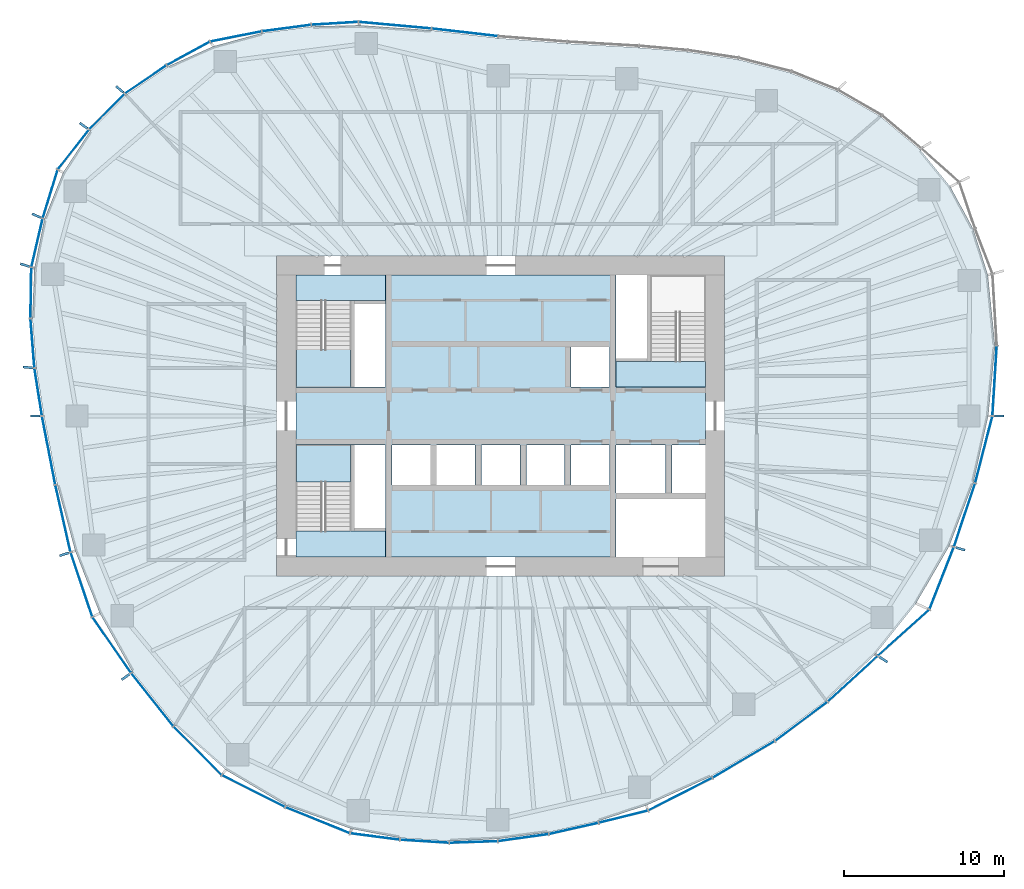
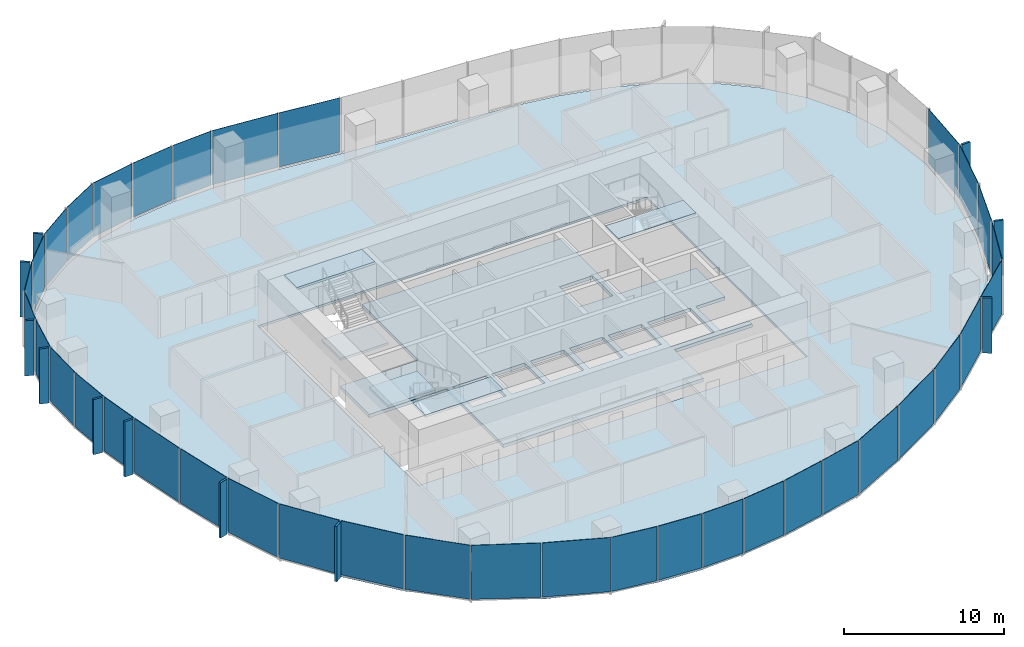
# One storey, part 7 of 18: 48 plates, 7 slabs, 19 elements without a shape of their own.
"""IFC4 building model written with IfcOpenShell, lengths in metres."""

from ifc_helpers import new_model, si_unit, direction, frame, origin, origin_2d, place, context, subcontext, project, spatial, polyline, rectangle, outline, extrude, material, layer, layer_set, type_object, element, aggregate, save


model = new_model("IFC4")

# Units and contexts
model_context = context("Model", 3, precision=1e-05, world=origin(), true_north=direction((0.0, 1.0)))
body_context = subcontext(model_context, "Body", "Model", "MODEL_VIEW")
ifc_project = project(units=[si_unit("LENGTHUNIT", "METRE"), si_unit("AREAUNIT", "SQUARE_METRE"), si_unit("VOLUMEUNIT", "CUBIC_METRE"), si_unit("PLANEANGLEUNIT", "RADIAN"), si_unit("MASSUNIT", "GRAM", prefix="KILO")], contexts=[model_context])

# Site, building, storey
site_placement = place(None, origin())
site = spatial("IfcSite", under=ifc_project, at=site_placement, CompositionType="ELEMENT")
building_placement = place(site_placement, origin())
building = spatial("IfcBuilding", under=site, at=building_placement, Name="Ghaith Harvest Tower", CompositionType="ELEMENT")
storey_placement = place(building_placement, frame((0.0, 0.0, 180.60009765625)))
storey = spatial("IfcBuildingStorey", under=building, at=storey_placement, Name="L39", CompositionType="ELEMENT", Elevation=180.60009765625)

# Curtain wall, plate
ifc_material_1 = material(Name="Black anodised aluminium and fritted glass", Category="aluminium")
curtain_wall_type = type_object("IfcCurtainWallType", Name="CW-L CURTAIN WALL", PredefinedType="NOTDEFINED", material=ifc_material_1)
curtain_wall_1_placement = place(storey_placement, origin())
curtain_wall_1 = element("IfcCurtainWall", 1, at=curtain_wall_1_placement, inside=storey, type_object=curtain_wall_type, Name="Curtain wall CW-L bay 01 L39", PredefinedType="NOTDEFINED")
ifc_material_2 = material(Name="Glass, dark solar-control fritted double glazed unit", Category="glass")
ifc_layer_1 = layer(ifc_material_2, 0.031982421875)
ifc_layer_set_1 = layer_set([ifc_layer_1], Name="CW-L VISION PANEL")
plate_type_1 = type_object("IfcPlateType", Name="CW-L VISION PANEL", PredefinedType="CURTAIN_PANEL", material=ifc_layer_set_1)
plate_1_placement = place(storey_placement, frame((30.86376953125, 2.19482421875, 0.079833984375), z_axis=(0.0, 0.0, 1.0), x_axis=(0.061379619468, 0.99811449359, 0.0)))
plate_1 = element("IfcPlate", 2, at=plate_1_placement, type_object=plate_type_1, Name="CW-L glass unit 1 bay 01 L39", PredefinedType="CURTAIN_PANEL", context=body_context, shape_type="SweptSolid", body=[
    extrude(rectangle(XDim=4.318115234375, YDim=0.031982421875, at=origin_2d()), origin(), (0.0, 0.0, 1.0), 4.1201171875),
])
aggregate(curtain_wall_1, [plate_1])

# Curtain wall, plates
curtain_wall_2_placement = place(storey_placement, origin())
curtain_wall_2 = element("IfcCurtainWall", 3, at=curtain_wall_2_placement, inside=storey, type_object=curtain_wall_type, Name="Curtain wall CW-L bay 06 L39", PredefinedType="NOTDEFINED")
plate_2_placement = place(storey_placement, frame((-2.24267578125, 23.968505859375, 0.079833984375), z_axis=(0.0, 0.0, 1.0), x_axis=(-0.993477024646, 0.114032458099, 0.0)))
plate_2 = element("IfcPlate", 4, at=plate_2_placement, type_object=plate_type_1, Name="CW-L glass unit 1 bay 06 L39", PredefinedType="CURTAIN_PANEL", context=body_context, shape_type="SweptSolid", body=[
    extrude(rectangle(XDim=4.10791015625, YDim=0.031982421875, at=origin_2d()), origin(), (0.0, 0.0, 1.0), 4.1201171875),
])
plate_3_placement = place(storey_placement, frame((-6.607666015625, 24.4140625, 0.079833984375), z_axis=(0.0, 0.0, 1.0), x_axis=(-0.995928776302, 0.090143621701, 0.0)))
plate_3 = element("IfcPlate", 5, at=plate_3_placement, type_object=plate_type_1, Name="CW-L glass unit 2 bay 06 L39", PredefinedType="CURTAIN_PANEL", context=body_context, shape_type="SweptSolid", body=[
    extrude(rectangle(XDim=4.508056640625, YDim=0.031982421875, at=origin_2d()), origin(), (0.0, 0.0, 1.0), 4.1201171875),
])
aggregate(curtain_wall_2, [plate_2, plate_3])

curtain_wall_3_placement = place(storey_placement, origin())
curtain_wall_3 = element("IfcCurtainWall", 6, at=curtain_wall_3_placement, inside=storey, type_object=curtain_wall_type, Name="Curtain wall CW-L bay 07 L39", PredefinedType="NOTDEFINED")
plate_4_placement = place(storey_placement, frame((-10.36669921875, 24.5302734375, 0.079833984375), z_axis=(0.0, 0.0, 1.0), x_axis=(-0.998119199641, -0.061303044853, 0.0)))
plate_4 = element("IfcPlate", 7, at=plate_4_placement, type_object=plate_type_1, Name="CW-L glass unit 1 bay 07 L39", PredefinedType="CURTAIN_PANEL", context=body_context, shape_type="SweptSolid", body=[
    extrude(rectangle(XDim=2.874267578125, YDim=0.031982421875, at=origin_2d()), origin(), (0.0, 0.0, 1.0), 4.1201171875),
])
plate_5_placement = place(storey_placement, frame((-13.382568359375, 24.23486328125, 0.079833984375), z_axis=(0.0, 0.0, 1.0), x_axis=(-0.991285895369, -0.131728029071, 0.0)))
plate_5 = element("IfcPlate", 8, at=plate_5_placement, type_object=plate_type_1, Name="CW-L glass unit 2 bay 07 L39", PredefinedType="CURTAIN_PANEL", context=body_context, shape_type="SweptSolid", body=[
    extrude(rectangle(XDim=3.02978515625, YDim=0.031982421875, at=origin_2d()), origin(), (0.0, 0.0, 1.0), 4.1201171875),
])
plate_6_placement = place(storey_placement, frame((-16.54443359375, 23.7099609375, 0.079833984375), z_axis=(0.0, 0.0, 1.0), x_axis=(-0.981037550101, -0.193817763096, 0.0)))
plate_6 = element("IfcPlate", 9, at=plate_6_placement, type_object=plate_type_1, Name="CW-L glass unit 3 bay 07 L39", PredefinedType="CURTAIN_PANEL", context=body_context, shape_type="SweptSolid", body=[
    extrude(rectangle(XDim=3.22412109375, YDim=0.031982421875, at=origin_2d()), origin(), (0.0, 0.0, 1.0), 4.1201171875),
])
aggregate(curtain_wall_3, [plate_4, plate_5, plate_6])

curtain_wall_4_placement = place(storey_placement, origin())
curtain_wall_4 = element("IfcCurtainWall", 10, at=curtain_wall_4_placement, inside=storey, type_object=curtain_wall_type, Name="Curtain wall CW-L bay 08 L39", PredefinedType="NOTDEFINED")
plate_7_placement = place(storey_placement, frame((-19.520263671875, 22.650634765625, 0.079833984375), z_axis=(0.0, 0.0, 1.0), x_axis=(-0.877940384665, -0.478769966659, 0.0)))
plate_7 = element("IfcPlate", 11, at=plate_7_placement, type_object=plate_type_1, Name="CW-L glass unit 1 bay 08 L39", PredefinedType="CURTAIN_PANEL", context=body_context, shape_type="SweptSolid", body=[
    extrude(rectangle(XDim=3.007080078125, YDim=0.031982421875, at=origin_2d()), origin(), (0.0, 0.0, 1.0), 4.1201171875),
])
plate_8_placement = place(storey_placement, frame((-22.182373046875, 21.025390625, 0.079833984375), z_axis=(0.0, 0.0, 1.0), x_axis=(-0.827674847773, -0.561207935051, 0.0)))
plate_8 = element("IfcPlate", 12, at=plate_8_placement, type_object=plate_type_1, Name="CW-L glass unit 2 bay 08 L39", PredefinedType="CURTAIN_PANEL", context=body_context, shape_type="SweptSolid", body=[
    extrude(rectangle(XDim=3.078369140625, YDim=0.031982421875, at=origin_2d()), origin(), (0.0, 0.0, 1.0), 4.1201171875),
])
plate_9_placement = place(storey_placement, frame((-24.603759765625, 19.01708984375, 0.079833984375), z_axis=(0.0, 0.0, 1.0), x_axis=(-0.704613943896, -0.709590861037, 0.0)))
plate_9 = element("IfcPlate", 13, at=plate_9_placement, type_object=plate_type_1, Name="CW-L glass unit 3 bay 08 L39", PredefinedType="CURTAIN_PANEL", context=body_context, shape_type="SweptSolid", body=[
    extrude(rectangle(XDim=3.0830078125, YDim=0.031982421875, at=origin_2d()), origin(), (0.0, 0.0, 1.0), 4.1201171875),
])
aggregate(curtain_wall_4, [plate_7, plate_8, plate_9])

curtain_wall_5_placement = place(storey_placement, origin())
curtain_wall_5 = element("IfcCurtainWall", 14, at=curtain_wall_5_placement, inside=storey, type_object=curtain_wall_type, Name="Curtain wall CW-L bay 09 L39", PredefinedType="NOTDEFINED")
plate_10_placement = place(storey_placement, frame((-26.69873046875, 16.644775390625, 0.079833984375), z_axis=(0.0, 0.0, 1.0), x_axis=(-0.617140806324, -0.786852734106, 0.0)))
plate_10 = element("IfcPlate", 15, at=plate_10_placement, type_object=plate_type_1, Name="CW-L glass unit 1 bay 09 L39", PredefinedType="CURTAIN_PANEL", context=body_context, shape_type="SweptSolid", body=[
    extrude(rectangle(XDim=3.09765625, YDim=0.031982421875, at=origin_2d()), origin(), (0.0, 0.0, 1.0), 4.1201171875),
])
plate_11_placement = place(storey_placement, frame((-28.14794921875, 13.869140625, 0.079833984375), z_axis=(0.0, 0.0, 1.0), x_axis=(-0.293802674087, -0.955866093498, 0.0)))
plate_11 = element("IfcPlate", 16, at=plate_11_placement, type_object=plate_type_1, Name="CW-L glass unit 2 bay 09 L39", PredefinedType="CURTAIN_PANEL", context=body_context, shape_type="SweptSolid", body=[
    extrude(rectangle(XDim=3.111328125, YDim=0.031982421875, at=origin_2d()), origin(), (0.0, 0.0, 1.0), 4.1201171875),
])
plate_12_placement = place(storey_placement, frame((-28.9716796875, 10.819091796875, 0.079833984375), z_axis=(0.0, 0.0, 1.0), x_axis=(-0.226698962458, -0.973964876379, 0.0)))
plate_12 = element("IfcPlate", 17, at=plate_12_placement, type_object=plate_type_1, Name="CW-L glass unit 3 bay 09 L39", PredefinedType="CURTAIN_PANEL", context=body_context, shape_type="SweptSolid", body=[
    extrude(rectangle(XDim=3.05126953125, YDim=0.031982421875, at=origin_2d()), origin(), (0.0, 0.0, 1.0), 4.1201171875),
])
aggregate(curtain_wall_5, [plate_10, plate_11, plate_12])

curtain_wall_6_placement = place(storey_placement, origin())
curtain_wall_6 = element("IfcCurtainWall", 18, at=curtain_wall_6_placement, inside=storey, type_object=curtain_wall_type, Name="Curtain wall CW-L bay 10 L39", PredefinedType="NOTDEFINED")
plate_13_placement = place(storey_placement, frame((-29.352294921875, 7.695068359375, 0.079833984375), z_axis=(0.0, 0.0, 1.0), x_axis=(-0.016034106433, -0.999871445452, 0.0)))
plate_13 = element("IfcPlate", 19, at=plate_13_placement, type_object=plate_type_1, Name="CW-L glass unit 1 bay 10 L39", PredefinedType="CURTAIN_PANEL", context=body_context, shape_type="SweptSolid", body=[
    extrude(rectangle(XDim=3.118408203125, YDim=0.031982421875, at=origin_2d()), origin(), (0.0, 0.0, 1.0), 4.1201171875),
])
plate_14_placement = place(storey_placement, frame((-29.25439453125, 4.54345703125, 0.079833984375), z_axis=(0.0, 0.0, 1.0), x_axis=(0.079273335663, -0.996852917061, 0.0)))
plate_14 = element("IfcPlate", 20, at=plate_14_placement, type_object=plate_type_1, Name="CW-L glass unit 2 bay 10 L39", PredefinedType="CURTAIN_PANEL", context=body_context, shape_type="SweptSolid", body=[
    extrude(rectangle(XDim=3.035400390625, YDim=0.031982421875, at=origin_2d()), origin(), (0.0, 0.0, 1.0), 4.1201171875),
])
plate_15_placement = place(storey_placement, frame((-28.896240234375, 1.495361328125, 0.079833984375), z_axis=(0.0, 0.0, 1.0), x_axis=(0.155172175389, -0.987887440949, 0.0)))
plate_15 = element("IfcPlate", 21, at=plate_15_placement, type_object=plate_type_1, Name="CW-L glass unit 3 bay 10 L39", PredefinedType="CURTAIN_PANEL", context=body_context, shape_type="SweptSolid", body=[
    extrude(rectangle(XDim=2.947265625, YDim=0.031982421875, at=origin_2d()), origin(), (0.0, 0.0, 1.0), 4.1201171875),
])
aggregate(curtain_wall_6, [plate_13, plate_14, plate_15])

curtain_wall_7_placement = place(storey_placement, origin())
curtain_wall_7 = element("IfcCurtainWall", 22, at=curtain_wall_7_placement, inside=storey, type_object=curtain_wall_type, Name="Curtain wall CW-L bay 11 L39", PredefinedType="NOTDEFINED")
plate_16_placement = place(storey_placement, frame((-28.24462890625, -2.152099609375, 0.079833984375), z_axis=(0.0, 0.0, 1.0), x_axis=(0.190044913274, -0.981775397399, 0.0)))
plate_16 = element("IfcPlate", 23, at=plate_16_placement, type_object=plate_type_1, Name="CW-L glass unit 1 bay 11 L39", PredefinedType="CURTAIN_PANEL", context=body_context, shape_type="SweptSolid", body=[
    extrude(rectangle(XDim=4.303955078125, YDim=0.031982421875, at=origin_2d()), origin(), (0.0, 0.0, 1.0), 4.1201171875),
])
plate_17_placement = place(storey_placement, frame((-27.351806640625, -6.41064453125, 0.079833984375), z_axis=(0.0, 0.0, 1.0), x_axis=(0.220483469245, -0.975390711351, 0.0)))
plate_17 = element("IfcPlate", 24, at=plate_17_placement, type_object=plate_type_1, Name="CW-L glass unit 2 bay 11 L39", PredefinedType="CURTAIN_PANEL", context=body_context, shape_type="SweptSolid", body=[
    extrude(rectangle(XDim=4.239501953125, YDim=0.031982421875, at=origin_2d()), origin(), (0.0, 0.0, 1.0), 4.1201171875),
])
aggregate(curtain_wall_7, [plate_16, plate_17])

curtain_wall_8_placement = place(storey_placement, origin())
curtain_wall_8 = element("IfcCurtainWall", 25, at=curtain_wall_8_placement, inside=storey, type_object=curtain_wall_type, Name="Curtain wall CW-L bay 12 L39", PredefinedType="NOTDEFINED")
plate_18_placement = place(storey_placement, frame((-26.194580078125, -10.537841796875, 0.079833984375), z_axis=(0.0, 0.0, 1.0), x_axis=(0.319477383729, -0.947593901039, 0.0)))
plate_18 = element("IfcPlate", 26, at=plate_18_placement, type_object=plate_type_1, Name="CW-L glass unit 1 bay 12 L39", PredefinedType="CURTAIN_PANEL", context=body_context, shape_type="SweptSolid", body=[
    extrude(rectangle(XDim=4.184326171875, YDim=0.031982421875, at=origin_2d()), origin(), (0.0, 0.0, 1.0), 4.1201171875),
])
plate_19_placement = place(storey_placement, frame((-24.3017578125, -14.312255859375, 0.079833984375), z_axis=(0.0, 0.0, 1.0), x_axis=(0.568347699633, -0.822788485774, 0.0)))
plate_19 = element("IfcPlate", 27, at=plate_19_placement, type_object=plate_type_1, Name="CW-L glass unit 2 bay 12 L39", PredefinedType="CURTAIN_PANEL", context=body_context, shape_type="SweptSolid", body=[
    extrude(rectangle(XDim=4.18359375, YDim=0.031982421875, at=origin_2d()), origin(), (0.0, 0.0, 1.0), 4.1201171875),
])
aggregate(curtain_wall_8, [plate_18, plate_19])

curtain_wall_9_placement = place(storey_placement, origin())
curtain_wall_9 = element("IfcCurtainWall", 28, at=curtain_wall_9_placement, inside=storey, type_object=curtain_wall_type, Name="Curtain wall CW-L bay 13 L39", PredefinedType="NOTDEFINED")
plate_20_placement = place(storey_placement, frame((-21.765625, -17.7314453125, 0.079833984375), z_axis=(0.0, 0.0, 1.0), x_axis=(0.622507360482, -0.782613944513, 0.0)))
plate_20 = element("IfcPlate", 29, at=plate_20_placement, type_object=plate_type_1, Name="CW-L glass unit 1 bay 13 L39", PredefinedType="CURTAIN_PANEL", context=body_context, shape_type="SweptSolid", body=[
    extrude(rectangle(XDim=4.175537109375, YDim=0.031982421875, at=origin_2d()), origin(), (0.0, 0.0, 1.0), 4.1201171875),
])
plate_21_placement = place(storey_placement, frame((-18.935791015625, -20.920166015625, 0.079833984375), z_axis=(0.0, 0.0, 1.0), x_axis=(0.702843151286, -0.711344856375, 0.0)))
plate_21 = element("IfcPlate", 30, at=plate_21_placement, type_object=plate_type_1, Name="CW-L glass unit 2 bay 13 L39", PredefinedType="CURTAIN_PANEL", context=body_context, shape_type="SweptSolid", body=[
    extrude(rectangle(XDim=4.203369140625, YDim=0.031982421875, at=origin_2d()), origin(), (0.0, 0.0, 1.0), 4.1201171875),
])
aggregate(curtain_wall_9, [plate_20, plate_21])

curtain_wall_10_placement = place(storey_placement, origin())
curtain_wall_10 = element("IfcCurtainWall", 31, at=curtain_wall_10_placement, inside=storey, type_object=curtain_wall_type, Name="Curtain wall CW-L bay 14 L39", PredefinedType="NOTDEFINED")
plate_22_placement = place(storey_placement, frame((-15.44677734375, -23.443115234375, 0.079833984375), z_axis=(0.0, 0.0, 1.0), x_axis=(0.893062297869, -0.449933030712, 0.0)))
plate_22 = element("IfcPlate", 32, at=plate_22_placement, type_object=plate_type_1, Name="CW-L glass unit 1 bay 14 L39", PredefinedType="CURTAIN_PANEL", context=body_context, shape_type="SweptSolid", body=[
    extrude(rectangle(XDim=4.362548828125, YDim=0.031982421875, at=origin_2d()), origin(), (0.0, 0.0, 1.0), 4.1201171875),
])
plate_23_placement = place(storey_placement, frame((-11.441162109375, -25.260498046875, 0.079833984375), z_axis=(0.0, 0.0, 1.0), x_axis=(0.927002522537, -0.375055093567, 0.0)))
plate_23 = element("IfcPlate", 33, at=plate_23_placement, type_object=plate_type_1, Name="CW-L glass unit 2 bay 14 L39", PredefinedType="CURTAIN_PANEL", context=body_context, shape_type="SweptSolid", body=[
    extrude(rectangle(XDim=4.282470703125, YDim=0.031982421875, at=origin_2d()), origin(), (0.0, 0.0, 1.0), 4.1201171875),
])
aggregate(curtain_wall_10, [plate_22, plate_23])

curtain_wall_11_placement = place(storey_placement, origin())
curtain_wall_11 = element("IfcCurtainWall", 34, at=curtain_wall_11_placement, inside=storey, type_object=curtain_wall_type, Name="Curtain wall CW-L bay 15 L39", PredefinedType="NOTDEFINED")
plate_24_placement = place(storey_placement, frame((-7.856689453125, -26.281005859375, 0.079833984375), z_axis=(0.0, 0.0, 1.0), x_axis=(0.99172348392, -0.128392100386, 0.0)))
plate_24 = element("IfcPlate", 35, at=plate_24_placement, type_object=plate_type_1, Name="CW-L glass unit 1 bay 15 L39", PredefinedType="CURTAIN_PANEL", context=body_context, shape_type="SweptSolid", body=[
    extrude(rectangle(XDim=3.07080078125, YDim=0.031982421875, at=origin_2d()), origin(), (0.0, 0.0, 1.0), 4.1201171875),
])
plate_25_placement = place(storey_placement, frame((-4.7568359375, -26.57958984375, 0.079833984375), z_axis=(0.0, 0.0, 1.0), x_axis=(0.998038280843, -0.062606628824, 0.0)))
plate_25 = element("IfcPlate", 36, at=plate_25_placement, type_object=plate_type_1, Name="CW-L glass unit 2 bay 15 L39", PredefinedType="CURTAIN_PANEL", context=body_context, shape_type="SweptSolid", body=[
    extrude(rectangle(XDim=3.001220703125, YDim=0.031982421875, at=origin_2d()), origin(), (0.0, 0.0, 1.0), 4.1201171875),
])
plate_26_placement = place(storey_placement, frame((-1.700439453125, -26.624755859375, 0.079833984375), z_axis=(0.0, 0.0, 1.0), x_axis=(0.999431515426, 0.033714180603, 0.0)))
plate_26 = element("IfcPlate", 37, at=plate_26_placement, type_object=plate_type_1, Name="CW-L glass unit 3 bay 15 L39", PredefinedType="CURTAIN_PANEL", context=body_context, shape_type="SweptSolid", body=[
    extrude(rectangle(XDim=2.958984375, YDim=0.031982421875, at=origin_2d()), origin(), (0.0, 0.0, 1.0), 4.1201171875),
])
aggregate(curtain_wall_11, [plate_24, plate_25, plate_26])

curtain_wall_12_placement = place(storey_placement, origin())
curtain_wall_12 = element("IfcCurtainWall", 38, at=curtain_wall_12_placement, inside=storey, type_object=curtain_wall_type, Name="Curtain wall CW-L bay 16 L39", PredefinedType="NOTDEFINED")
plate_27_placement = place(storey_placement, frame((1.4140625, -26.3515625, 0.079833984375), z_axis=(0.0, 0.0, 1.0), x_axis=(0.990448098003, 0.137886058621, 0.0)))
plate_27 = element("IfcPlate", 39, at=plate_27_placement, type_object=plate_type_1, Name="CW-L glass unit 1 bay 16 L39", PredefinedType="CURTAIN_PANEL", context=body_context, shape_type="SweptSolid", body=[
    extrude(rectangle(XDim=3.142578125, YDim=0.031982421875, at=origin_2d()), origin(), (0.0, 0.0, 1.0), 4.1201171875),
])
plate_28_placement = place(storey_placement, frame((4.565185546875, -25.77734375, 0.079833984375), z_axis=(0.0, 0.0, 1.0), x_axis=(0.975341754172, 0.220699937852, 0.0)))
plate_28 = element("IfcPlate", 40, at=plate_28_placement, type_object=plate_type_1, Name="CW-L glass unit 2 bay 16 L39", PredefinedType="CURTAIN_PANEL", context=body_context, shape_type="SweptSolid", body=[
    extrude(rectangle(XDim=3.10888671875, YDim=0.031982421875, at=origin_2d()), origin(), (0.0, 0.0, 1.0), 4.1201171875),
])
plate_29_placement = place(storey_placement, frame((7.66845703125, -25.0400390625, 0.079833984375), z_axis=(0.0, 0.0, 1.0), x_axis=(0.970384283801, 0.241566433413, 0.0)))
plate_29 = element("IfcPlate", 41, at=plate_29_placement, type_object=plate_type_1, Name="CW-L glass unit 3 bay 16 L39", PredefinedType="CURTAIN_PANEL", context=body_context, shape_type="SweptSolid", body=[
    extrude(rectangle(XDim=3.111083984375, YDim=0.031982421875, at=origin_2d()), origin(), (0.0, 0.0, 1.0), 4.1201171875),
])
aggregate(curtain_wall_12, [plate_27, plate_28, plate_29])

curtain_wall_13_placement = place(storey_placement, origin())
curtain_wall_13 = element("IfcCurtainWall", 42, at=curtain_wall_13_placement, inside=storey, type_object=curtain_wall_type, Name="Curtain wall CW-L bay 17 L39", PredefinedType="NOTDEFINED")
plate_30_placement = place(storey_placement, frame((11.220703125, -23.63427734375, 0.079833984375), z_axis=(0.0, 0.0, 1.0), x_axis=(0.891126766056, 0.453754434489, 0.0)))
plate_30 = element("IfcPlate", 43, at=plate_30_placement, type_object=plate_type_1, Name="CW-L glass unit 1 bay 17 L39", PredefinedType="CURTAIN_PANEL", context=body_context, shape_type="SweptSolid", body=[
    extrude(rectangle(XDim=4.417236328125, YDim=0.031982421875, at=origin_2d()), origin(), (0.0, 0.0, 1.0), 4.1201171875),
])
plate_31_placement = place(storey_placement, frame((15.17822265625, -21.46484375, 0.079833984375), z_axis=(0.0, 0.0, 1.0), x_axis=(0.861979497965, 0.506943137924, 0.0)))
plate_31 = element("IfcPlate", 44, at=plate_31_placement, type_object=plate_type_1, Name="CW-L glass unit 2 bay 17 L39", PredefinedType="CURTAIN_PANEL", context=body_context, shape_type="SweptSolid", body=[
    extrude(rectangle(XDim=4.453125, YDim=0.031982421875, at=origin_2d()), origin(), (0.0, 0.0, 1.0), 4.1201171875),
])
aggregate(curtain_wall_13, [plate_30, plate_31])

curtain_wall_14_placement = place(storey_placement, origin())
curtain_wall_14 = element("IfcCurtainWall", 45, at=curtain_wall_14_placement, inside=storey, type_object=curtain_wall_type, Name="Curtain wall CW-L bay 18 L39", PredefinedType="NOTDEFINED")
plate_32_placement = place(storey_placement, frame((18.78076171875, -19.08984375, 0.079833984375), z_axis=(0.0, 0.0, 1.0), x_axis=(0.802462370117, 0.596702727115, 0.0)))
plate_32 = element("IfcPlate", 46, at=plate_32_placement, type_object=plate_type_1, Name="CW-L glass unit 1 bay 18 L39", PredefinedType="CURTAIN_PANEL", context=body_context, shape_type="SweptSolid", body=[
    extrude(rectangle(XDim=4.029541015625, YDim=0.031982421875, at=origin_2d()), origin(), (0.0, 0.0, 1.0), 4.1201171875),
])
plate_33_placement = place(storey_placement, frame((21.9951171875, -16.428955078125, 0.079833984375), z_axis=(0.0, 0.0, 1.0), x_axis=(0.737201663563, 0.675672781189, 0.0)))
plate_33 = element("IfcPlate", 47, at=plate_33_placement, type_object=plate_type_1, Name="CW-L glass unit 2 bay 18 L39", PredefinedType="CURTAIN_PANEL", context=body_context, shape_type="SweptSolid", body=[
    extrude(rectangle(XDim=4.1669921875, YDim=0.031982421875, at=origin_2d()), origin(), (0.0, 0.0, 1.0), 4.1201171875),
])
aggregate(curtain_wall_14, [plate_32, plate_33])

curtain_wall_15_placement = place(storey_placement, origin())
curtain_wall_15 = element("IfcCurtainWall", 48, at=curtain_wall_15_placement, inside=storey, type_object=curtain_wall_type, Name="Curtain wall CW-L bay 19 L39", PredefinedType="NOTDEFINED")
plate_34_placement = place(storey_placement, frame((25.17333984375, -13.54345703125, 0.079833984375), z_axis=(0.0, 0.0, 1.0), x_axis=(0.743493028761, 0.668743684968, 0.0)))
plate_34 = element("IfcPlate", 49, at=plate_34_placement, type_object=plate_type_1, Name="CW-L glass unit 1 bay 19 L39", PredefinedType="CURTAIN_PANEL", context=body_context, shape_type="SweptSolid", body=[
    extrude(rectangle(XDim=4.2587890625, YDim=0.031982421875, at=origin_2d()), origin(), (0.0, 0.0, 1.0), 4.1201171875),
])
plate_35_placement = place(storey_placement, frame((27.552978515625, -10.138916015625, 0.079833984375), z_axis=(0.0, 0.0, 1.0), x_axis=(0.365226458984, 0.930918704108, 0.0)))
plate_35 = element("IfcPlate", 50, at=plate_35_placement, type_object=plate_type_1, Name="CW-L glass unit 2 bay 19 L39", PredefinedType="CURTAIN_PANEL", context=body_context, shape_type="SweptSolid", body=[
    extrude(rectangle(XDim=4.11767578125, YDim=0.031982421875, at=origin_2d()), origin(), (0.0, 0.0, 1.0), 4.1201171875),
])
aggregate(curtain_wall_15, [plate_34, plate_35])

curtain_wall_16_placement = place(storey_placement, origin())
curtain_wall_16 = element("IfcCurtainWall", 51, at=curtain_wall_16_placement, inside=storey, type_object=curtain_wall_type, Name="Curtain wall CW-L bay 20 L39", PredefinedType="NOTDEFINED")
plate_36_placement = place(storey_placement, frame((28.982666015625, -6.191650390625, 0.079833984375), z_axis=(0.0, 0.0, 1.0), x_axis=(0.315708038084, 0.948856382541, 0.0)))
plate_36 = element("IfcPlate", 52, at=plate_36_placement, type_object=plate_type_1, Name="CW-L glass unit 1 bay 20 L39", PredefinedType="CURTAIN_PANEL", context=body_context, shape_type="SweptSolid", body=[
    extrude(rectangle(XDim=4.12158203125, YDim=0.031982421875, at=origin_2d()), origin(), (0.0, 0.0, 1.0), 4.1201171875),
])
plate_37_placement = place(storey_placement, frame((30.187255859375, -2.09912109375, 0.079833984375), z_axis=(0.0, 0.0, 1.0), x_axis=(0.24974411022, 0.968311870944, 0.0)))
plate_37 = element("IfcPlate", 53, at=plate_37_placement, type_object=plate_type_1, Name="CW-L glass unit 2 bay 20 L39", PredefinedType="CURTAIN_PANEL", context=body_context, shape_type="SweptSolid", body=[
    extrude(rectangle(XDim=4.255615234375, YDim=0.031982421875, at=origin_2d()), origin(), (0.0, 0.0, 1.0), 4.1201171875),
])
aggregate(curtain_wall_16, [plate_36, plate_37])

# Slabs
ifc_material_3 = material(Name="Concrete C40/50", Category="concrete")
ifc_layer_2 = layer(ifc_material_3, 0.169921875)
ifc_layer_set_2 = layer_set([ifc_layer_2], Name="FLOOR SLAB 170")
slab_type_1 = type_object("IfcSlabType", Name="FLOOR SLAB 170", PredefinedType="FLOOR", material=ifc_layer_set_2)
slab_1_placement = place(storey_placement, frame((0.0, 0.0, -0.170166015625)))
element("IfcSlab", 54, at=slab_1_placement, inside=storey, type_object=slab_type_1, Name="Floor slab L39", PredefinedType="FLOOR", context=body_context, shape_type="SweptSolid", body=[
    extrude(outline(polyline([(30.458740234375, 0.0), (30.8798828125, 4.373046875), (30.439208984375, 8.797607421875), (29.52294921875, 11.671875), (28.0888671875, 14.32568359375), (26.179443359375, 16.660888671875), (23.7275390625, 18.718017578125), (20.97998046875, 20.3056640625), (18.0849609375, 21.4462890625), (14.79833984375, 22.27978515625), (11.617919921875, 22.757080078125), (8.604736328125, 23.017333984375), (4.125732421875, 23.272705078125), (-0.16162109375, 23.609619140625), (-4.302001953125, 24.089111328125), (-8.814208984375, 24.404541015625), (-11.788818359375, 24.331787109375), (-14.860595703125, 23.927978515625), (-17.938232421875, 23.097412109375), (-20.79248046875, 21.82470703125), (-23.398193359375, 20.06103515625), (-25.61962890625, 17.826416015625), (-27.33837890625, 15.204833984375), (-28.506591796875, 12.29638671875), (-29.12646484375, 9.230712890625), (-29.260498046875, 6.07177734375), (-29.01171875, 2.978271484375), (-28.541259765625, 0.0), (-27.70947265625, -4.285888671875), (-26.580078125, -8.423583984375), (-25.046875, -12.32861328125), (-22.99169921875, -15.997802734375), (-20.35400390625, -19.31396484375), (-17.1728515625, -22.11181640625), (-13.4052734375, -24.33740234375), (-9.317138671875, -25.79638671875), (-6.2666015625, -26.366455078125), (-3.204833984375, -26.556884765625), (-0.180908203125, -26.423583984375), (2.99609375, -26.010009765625), (6.09228515625, -25.308837890625), (9.09423828125, -24.326904296875), (13.163818359375, -22.510498046875), (17.054443359375, -20.22412109375), (20.33935546875, -17.784912109375), (23.400390625, -14.89208984375), (25.94775390625, -11.714111328125), (28.03125, -8.1015625), (29.527099609375, -4.181396484375), (30.458740234375, 0.0)]), holes=[polyline([(-14.0, -10.0), (14.0, -10.0), (14.0, 10.0), (-14.0, 10.0), (-14.0, -10.0)])]), origin(), (0.0, 0.0, 1.0), 0.170166015625),
])
ifc_material_4 = material(Name="Concrete C40/50", Category="concrete")
ifc_layer_3 = layer(ifc_material_4, 0.25)
ifc_layer_set_3 = layer_set([ifc_layer_3], Name="FLOOR SLAB 250")
slab_type_2 = type_object("IfcSlabType", Name="FLOOR SLAB 250", PredefinedType="FLOOR", material=ifc_layer_set_3)
slab_2_placement = place(storey_placement, frame((0.0, 0.0, -0.25)))
element("IfcSlab", 55, at=slab_2_placement, inside=storey, type_object=slab_type_2, Name="Core slab L39", PredefinedType="FLOOR", context=body_context, shape_type="SweptSolid", body=[
    extrude(outline(polyline([(-12.800048828125, 1.800048828125), (-7.199951171875, 1.800048828125), (-7.199951171875, 8.800048828125), (7.199951171875, 8.800048828125), (7.199951171875, 1.800048828125), (12.800048828125, 1.800048828125), (12.800048828125, -1.800048828125), (10.699951171875, -1.800048828125), (10.699951171875, -4.800048828125), (12.800048828125, -4.800048828125), (12.800048828125, -5.199951171875), (7.199951171875, -5.199951171875), (7.199951171875, -8.800048828125), (-7.199951171875, -8.800048828125), (-7.199951171875, -1.800048828125), (-12.800048828125, -1.800048828125), (-12.800048828125, 1.800048828125)]), holes=[polyline([(-4.39990234375, -4.300048828125), (-4.39990234375, -1.800048828125), (-6.800048828125, -1.800048828125), (-6.800048828125, -4.300048828125), (-4.39990234375, -4.300048828125)]), polyline([(-1.60009765625, -4.300048828125), (-1.60009765625, -1.800048828125), (-4.0, -1.800048828125), (-4.0, -4.300048828125), (-1.60009765625, -4.300048828125)]), polyline([(1.199951171875, -1.800048828125), (-1.199951171875, -1.800048828125), (-1.199951171875, -4.300048828125), (1.199951171875, -4.300048828125), (1.199951171875, -1.800048828125)]), polyline([(4.0, -4.300048828125), (4.0, -1.800048828125), (1.60009765625, -1.800048828125), (1.60009765625, -4.300048828125), (4.0, -4.300048828125)]), polyline([(10.300048828125, -4.800048828125), (10.300048828125, -1.800048828125), (7.199951171875, -1.800048828125), (7.199951171875, -4.800048828125), (10.300048828125, -4.800048828125)]), polyline([(6.800048828125, -1.800048828125), (4.39990234375, -1.800048828125), (4.39990234375, -4.300048828125), (6.800048828125, -4.300048828125), (6.800048828125, -1.800048828125)]), polyline([(6.800048828125, 1.800048828125), (6.800048828125, 4.300048828125), (4.39990234375, 4.300048828125), (4.39990234375, 1.800048828125), (6.800048828125, 1.800048828125)])]), origin(), (0.0, 0.0, 1.0), 0.25),
])

# Stair, slabs
ifc_material_5 = material(Name="Concrete C40/50, precast", Category="concrete")
stair_type = type_object("IfcStairType", Name="CORE STAIR 24R", PredefinedType="HALF_TURN_STAIR", material=ifc_material_5)
stair_1_placement = place(storey_placement, origin())
stair_1 = element("IfcStair", 56, at=stair_1_placement, inside=storey, type_object=stair_type, Name="Stair ST1 L39", PredefinedType="HALF_TURN_STAIR")
ifc_material_6 = material(Name="Concrete C40/50, precast", Category="concrete")
ifc_layer_4 = layer(ifc_material_6, 0.179931640625)
ifc_layer_set_4 = layer_set([ifc_layer_4], Name="STAIR LANDING 180")
slab_type_3 = type_object("IfcSlabType", Name="STAIR LANDING 180", PredefinedType="LANDING", material=ifc_layer_set_4)
slab_3_placement = place(storey_placement, frame((0.0, 0.0, 1.919921875)))
slab_3 = element("IfcSlab", 57, at=slab_3_placement, type_object=slab_type_3, Name="ST1 landing 1", PredefinedType="LANDING", context=body_context, shape_type="SweptSolid", body=[
    extrude(outline(polyline([(-12.800048828125, 4.139892578125), (-12.800048828125, 1.77490234375), (-9.35009765625, 1.77490234375), (-9.35009765625, 4.139892578125), (-12.800048828125, 4.139892578125)])), origin(), (0.0, 0.0, 1.0), 0.179931640625),
])
slab_4_placement = place(storey_placement, frame((0.0, 0.0, 4.02001953125)))
slab_4 = element("IfcSlab", 58, at=slab_4_placement, type_object=slab_type_3, Name="ST1 landing 2", PredefinedType="LANDING", context=body_context, shape_type="SweptSolid", body=[
    extrude(outline(polyline([(-12.800048828125, 8.800048828125), (-12.800048828125, 7.199951171875), (-7.199951171875, 7.199951171875), (-7.199951171875, 8.800048828125), (-12.800048828125, 8.800048828125)])), origin(), (0.0, 0.0, 1.0), 0.179931640625),
])
aggregate(stair_1, [slab_3, slab_4])

stair_2_placement = place(storey_placement, origin())
stair_2 = element("IfcStair", 59, at=stair_2_placement, inside=storey, type_object=stair_type, Name="Stair ST3 L39", PredefinedType="HALF_TURN_STAIR")
slab_5_placement = place(storey_placement, frame((0.0, 0.0, 1.919921875)))
slab_5 = element("IfcSlab", 60, at=slab_5_placement, type_object=slab_type_3, Name="ST3 landing 1", PredefinedType="LANDING", context=body_context, shape_type="SweptSolid", body=[
    extrude(outline(polyline([(-12.800048828125, -4.139892578125), (-12.800048828125, -1.77490234375), (-9.35009765625, -1.77490234375), (-9.35009765625, -4.139892578125), (-12.800048828125, -4.139892578125)])), origin(), (0.0, 0.0, 1.0), 0.179931640625),
])
slab_6_placement = place(storey_placement, frame((0.0, 0.0, 4.02001953125)))
slab_6 = element("IfcSlab", 61, at=slab_6_placement, type_object=slab_type_3, Name="ST3 landing 2", PredefinedType="LANDING", context=body_context, shape_type="SweptSolid", body=[
    extrude(outline(polyline([(-12.800048828125, -8.800048828125), (-12.800048828125, -7.199951171875), (-7.199951171875, -7.199951171875), (-7.199951171875, -8.800048828125), (-12.800048828125, -8.800048828125)])), origin(), (0.0, 0.0, 1.0), 0.179931640625),
])
aggregate(stair_2, [slab_5, slab_6])

# Stair, slab
stair_3_placement = place(storey_placement, origin())
stair_3 = element("IfcStair", 62, at=stair_3_placement, inside=storey, type_object=stair_type, Name="Stair ST2 L39", PredefinedType="HALF_TURN_STAIR")
slab_7_placement = place(storey_placement, frame((0.0, 0.0, 4.02001953125)))
slab_7 = element("IfcSlab", 63, at=slab_7_placement, type_object=slab_type_3, Name="ST2 landing 2", PredefinedType="LANDING", context=body_context, shape_type="SweptSolid", body=[
    extrude(outline(polyline([(12.800048828125, 1.800048828125), (12.800048828125, 3.39990234375), (7.199951171875, 3.39990234375), (7.199951171875, 1.800048828125), (12.800048828125, 1.800048828125)])), origin(), (0.0, 0.0, 1.0), 0.179931640625),
])
aggregate(stair_3, [slab_7])

# Plates
ifc_material_7 = material(Name="Glassfibre-reinforced concrete", Category="concrete")
ifc_layer_5 = layer(ifc_material_7, 0.14990234375)
ifc_layer_set_5 = layer_set([ifc_layer_5], Name="SUN-BREAKER FIN 600x150")
plate_type_2 = type_object("IfcPlateType", Name="SUN-BREAKER FIN 600x150", PredefinedType="USERDEFINED", material=ifc_layer_set_5)
for number, where, z_axis, x_axis, name in (
    (64, (31.148681640625, 0.0, 0.0), (0.0, 0.0, 1.0), (1.0, 0.0, 0.0), "Sun-breaker fin CW-L 1 bay 01 L39"),
    (65, (-23.808349609375, 20.41259765625, 0.0), (0.0, 0.0, 1.0), (-0.759169742643, 0.650892696115, 0.0), "Sun-breaker fin CW-L 3 bay 08 L39"),
    (66, (-26.06298828125, 18.134765625, 0.0), (0.0, 0.0, 1.0), (-0.820845486523, 0.571150319316, 0.0), "Sun-breaker fin CW-L 1 bay 09 L39"),
    (67, (-29.00244140625, 12.51025390625, 0.0), (0.0, 0.0, 1.0), (-0.918217993215, 0.396075392995, 0.0), "Sun-breaker fin CW-L 3 bay 09 L39"),
    (68, (-29.72705078125, 9.4208984375, 0.0), (0.0, 0.0, 1.0), (-0.953273219358, 0.302109531884, 0.0), "Sun-breaker fin CW-L 1 bay 10 L39"),
    (69, (-29.548828125, 3.033447265625, 0.0), (0.0, 0.0, 1.0), (-0.994771752973, 0.102123256344, 0.0), "Sun-breaker fin CW-L 3 bay 10 L39"),
    (70, (-29.081298828125, 0.0, 0.0), (0.0, 0.0, 1.0), (-1.0, -4.19e-10, 0.0), "Sun-breaker fin CW-L 1 bay 11 L39"),
    (71, (-27.276123046875, -8.644287109375, 0.0), (0.0, 0.0, 1.0), (-0.953273219416, -0.302109531701, 0.0), "Sun-breaker fin CW-L 1 bay 12 L39"),
    (72, (-23.434814453125, -16.30615234375, 0.0), (0.0, 0.0, 1.0), (-0.820845486622, -0.571150319173, 0.0), "Sun-breaker fin CW-L 1 bay 13 L39"),
    (73, (23.914794921875, -15.2197265625, 0.0), (0.0, 0.0, 1.0), (0.84364397137, -0.536903016913, 0.0), "Sun-breaker fin CW-L 1 bay 19 L39"),
    (74, (28.722900390625, -8.301513671875, 0.0), (0.0, 0.0, 1.0), (0.960680349932, -0.277656739976, 0.0), "Sun-breaker fin CW-L 1 bay 20 L39"),
):
    element("IfcPlate", number, at=place(storey_placement, frame(where, z_axis=z_axis, x_axis=x_axis)), inside=storey, type_object=plate_type_2, Name=name, ObjectType="SUN-BREAKER FIN", PredefinedType="USERDEFINED", context=body_context, shape_type="SweptSolid", body=[
        extrude(rectangle(XDim=0.60009765625, YDim=0.14990234375, at=origin_2d()), origin(), (0.0, 0.0, 1.0), 4.199951171875),
    ])

save(model, "model.ifc")
